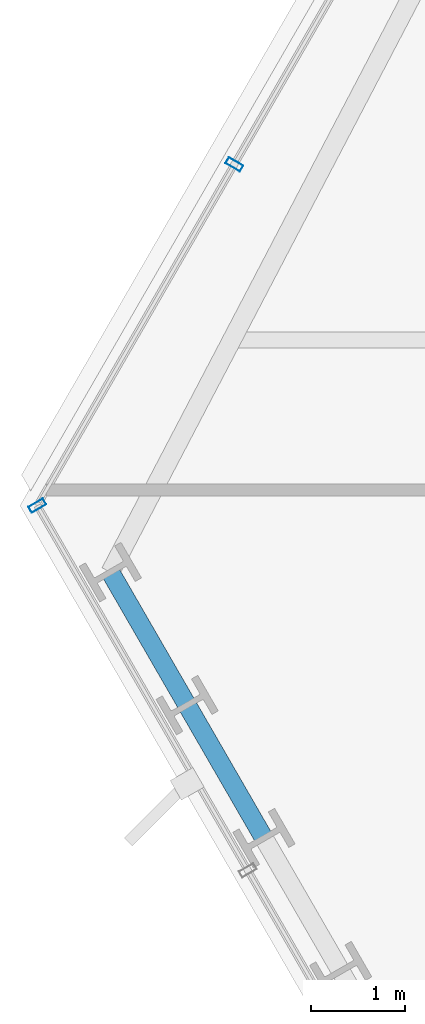
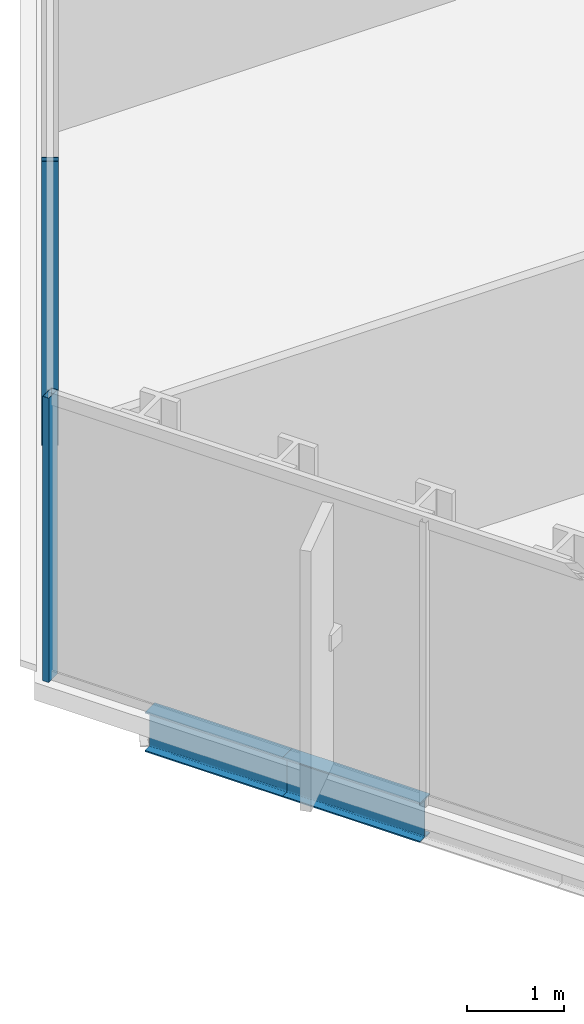
# One storey, part 5 of 31: 2 beams, 2 members, 2 elements without a shape of their own.
"""IFC4 building model written with IfcOpenShell, lengths in metres."""

from ifc_helpers import new_model, si_unit, direction, frame, origin, origin_2d, place, context, subcontext, project, spatial, hollow_rectangle, i_section, extrude, material, layer, layer_set, material_profile, profile_set, type_object, element, aggregate, save


model = new_model("IFC4")

# Units and contexts
model_context = context("Model", 3, precision=1e-05, world=origin(), true_north=direction((0.0, 1.0)))
body_context = subcontext(model_context, "Body", "Model", "MODEL_VIEW")
ifc_project = project(units=[si_unit("LENGTHUNIT", "METRE"), si_unit("AREAUNIT", "SQUARE_METRE"), si_unit("VOLUMEUNIT", "CUBIC_METRE"), si_unit("PLANEANGLEUNIT", "RADIAN"), si_unit("MASSUNIT", "GRAM", prefix="KILO")], contexts=[model_context])

# Site, building, storey
site_placement = place(None, origin())
site = spatial("IfcSite", under=ifc_project, at=site_placement, CompositionType="ELEMENT")
building_placement = place(site_placement, origin())
building = spatial("IfcBuilding", under=site, at=building_placement, Name="Ndaravel Arena Tower", CompositionType="ELEMENT")
storey_placement = place(building_placement, frame((0.0, 0.0, 100.60009765625)))
storey = spatial("IfcBuildingStorey", under=building, at=storey_placement, Name="L23", CompositionType="ELEMENT", Elevation=100.60009765625)

# Beams
ifc_material_1 = material(Name="Steel S355", Category="steel")
ifc_material_profile_1 = material_profile(ifc_material_1, i_section(OverallWidth=0.199951171875, OverallDepth=0.5, WebThickness=0.01025390625, FlangeThickness=0.01611328125, FilletRadius=0.02099609375, at=origin_2d()), Name="IPE 500")
ifc_profile_set_1 = profile_set([ifc_material_profile_1], Name="Steel S355")
beam_type = type_object("IfcBeamType", Name="BM-SPAN-IPE500", PredefinedType="SPANDREL", material=ifc_profile_set_1)
for number, where, z_axis, x_axis, name in (
    (1, (19.221923828125, 16.123291015625, -0.47021484375), (0.499984679161, -0.866034249094, 0.0), (0.866034249094, 0.499984679161, 0.0), "L23 Perimeter Spandrel Beam SP-20"),
    (2, (20.041259765625, 14.7041015625, -0.47021484375), (0.499984679161, -0.866034249094, 0.0), (0.866034249094, 0.499984679161, 0.0), "L23 Perimeter Spandrel Beam SP-21"),
):
    element("IfcBeam", number, at=place(storey_placement, frame(where, z_axis=z_axis, x_axis=x_axis)), inside=storey, type_object=beam_type, Name=name, PredefinedType="SPANDREL", context=body_context, shape_type="SweptSolid", body=[
        extrude(i_section(OverallWidth=0.199951171875, OverallDepth=0.5, WebThickness=0.01025390625, FlangeThickness=0.01611328125, FilletRadius=0.02099609375, at=origin_2d()), origin(), (0.0, 0.0, 1.0), 1.638671875),
    ])

# Curtain wall, member
ifc_material_2 = material(Name="Aluminium", Category="aluminium")
ifc_layer_1 = layer(ifc_material_2, 0.179931640625)
ifc_layer_set_1 = layer_set([ifc_layer_1], Name="Aluminium")
curtain_wall_type_1 = type_object("IfcCurtainWallType", Name="CW-SYS-03", PredefinedType="NOTDEFINED", material=ifc_layer_set_1)
curtain_wall_1_placement = place(storey_placement, origin())
curtain_wall_1 = element("IfcCurtainWall", 3, at=curtain_wall_1_placement, inside=storey, type_object=curtain_wall_type_1, Name="L23 Faceted Crystal Curtain Wall CW-L23-E05", PredefinedType="NOTDEFINED")
ifc_material_3 = material(Name="Aluminium", Category="aluminium")
ifc_material_profile_2 = material_profile(ifc_material_3, hollow_rectangle(XDim=0.074951171875, YDim=0.179931640625, WallThickness=0.00390625, at=origin_2d()), Name="CW MULLION 75x180x4")
ifc_profile_set_2 = profile_set([ifc_material_profile_2], Name="Aluminium")
member_type = type_object("IfcMemberType", Name="MEM-CW-MUL180", PredefinedType="MULLION", material=ifc_profile_set_2)
member_1_placement = place(storey_placement, frame((20.544921875, 20.47412109375, 0.0), z_axis=(0.0, 0.0, 1.0), x_axis=(-0.5, -0.866025403784, 0.0)))
member_1 = element("IfcMember", 4, at=member_1_placement, type_object=member_type, Name="CW-L23-E05 Mullion 07", PredefinedType="MULLION", context=body_context, shape_type="SweptSolid", body=[
    extrude(hollow_rectangle(XDim=0.074951171875, YDim=0.179931640625, WallThickness=0.00390625, at=origin_2d()), origin(), (0.0, 0.0, 1.0), 3.579833984375),
])
aggregate(curtain_wall_1, [member_1])

ifc_material_4 = material(Name="Aluminium", Category="aluminium")
ifc_layer_2 = layer(ifc_material_4, 0.179931640625)
ifc_layer_set_2 = layer_set([ifc_layer_2], Name="Aluminium")
curtain_wall_type_2 = type_object("IfcCurtainWallType", Name="CW-SYS-02", PredefinedType="NOTDEFINED", material=ifc_layer_set_2)
curtain_wall_2_placement = place(storey_placement, origin())
curtain_wall_2 = element("IfcCurtainWall", 5, at=curtain_wall_2_placement, inside=storey, type_object=curtain_wall_type_2, Name="L23 Faceted Crystal Curtain Wall CW-L23-E06", PredefinedType="NOTDEFINED")
member_2_placement = place(storey_placement, frame((18.442626953125, 16.832763671875, 0.0), z_axis=(0.0, 0.0, 1.0), x_axis=(0.5, -0.866025403784, 0.0)))
member_2 = element("IfcMember", 6, at=member_2_placement, type_object=member_type, Name="CW-L23-E06 Mullion 00", PredefinedType="MULLION", context=body_context, shape_type="SweptSolid", body=[
    extrude(hollow_rectangle(XDim=0.074951171875, YDim=0.179931640625, WallThickness=0.00390625, at=origin_2d()), origin(), (0.0, 0.0, 1.0), 3.579833984375),
])
aggregate(curtain_wall_2, [member_2])

save(model, "model.ifc")
